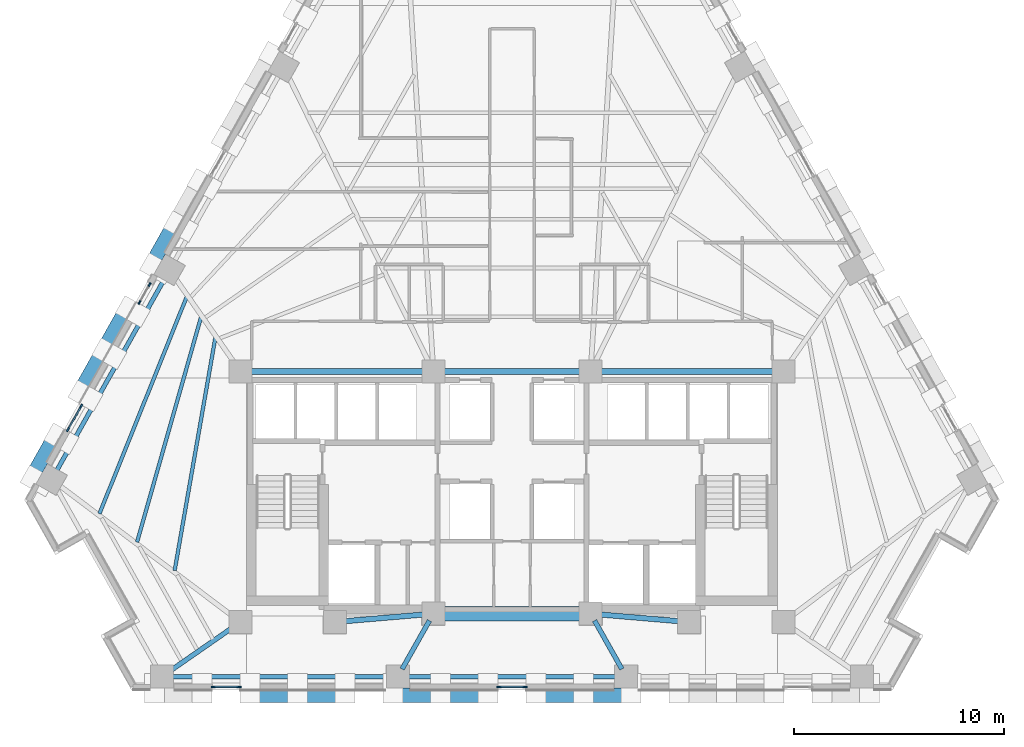
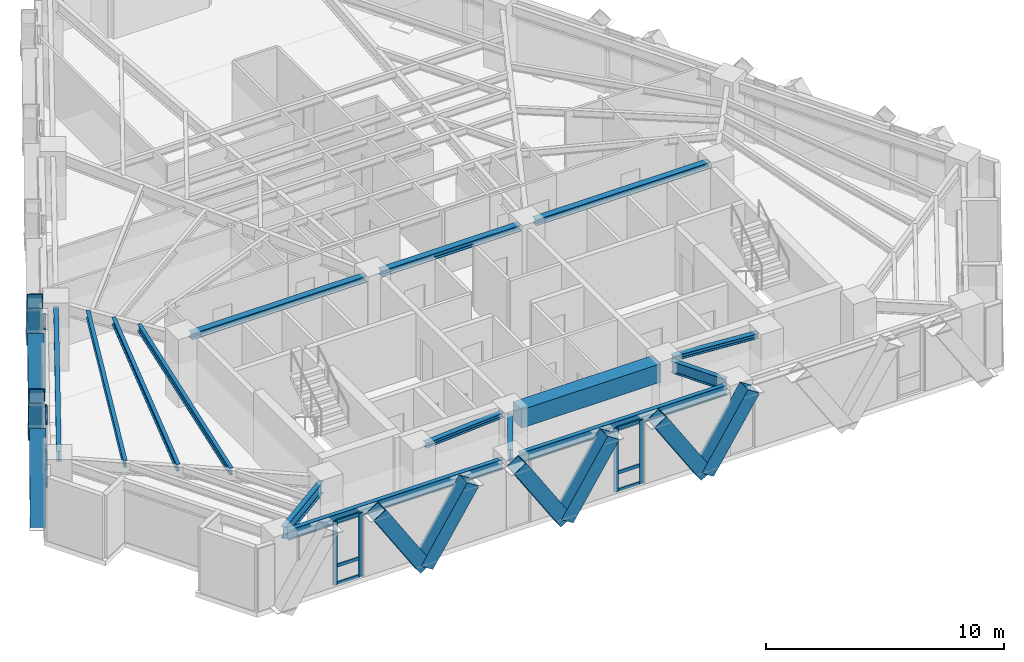
# One storey, part 2 of 13: 27 members, 15 beams, 4 elements without a shape of their own.
"""IFC4 building model written with IfcOpenShell, lengths in metres."""

from ifc_helpers import new_model, si_unit, direction, frame, origin, origin_2d, place, context, subcontext, project, spatial, rectangle, hollow_rectangle, i_section, extrude, material, material_profile, profile_set, type_object, element, aggregate, save


model = new_model("IFC4")

# Units and contexts
model_context = context("Model", 3, precision=1e-05, world=origin(), true_north=direction((0.0, 1.0)))
body_context = subcontext(model_context, "Body", "Model", "MODEL_VIEW")
ifc_project = project(units=[si_unit("LENGTHUNIT", "METRE"), si_unit("AREAUNIT", "SQUARE_METRE"), si_unit("VOLUMEUNIT", "CUBIC_METRE"), si_unit("PLANEANGLEUNIT", "RADIAN"), si_unit("MASSUNIT", "GRAM", prefix="KILO")], contexts=[model_context])

# Site, building, storey
site_placement = place(None, origin())
site = spatial("IfcSite", under=ifc_project, at=site_placement, CompositionType="ELEMENT")
building_placement = place(site_placement, origin())
building = spatial("IfcBuilding", under=site, at=building_placement, Name="Quenlor Broadcast Tower", CompositionType="ELEMENT")
storey_placement = place(building_placement, frame((0.0, 0.0, 98.5)))
storey = spatial("IfcBuildingStorey", under=building, at=storey_placement, Name="L26", CompositionType="ELEMENT", Elevation=98.5)

# Curtain wall, members
ifc_material_1 = material(Name="Architectural Terracotta and Low-E Glazing", Category="masonry")
curtain_wall_type = type_object("IfcCurtainWallType", Name="Unitised Terracotta Curtain Wall System Z2", PredefinedType="NOTDEFINED", material=ifc_material_1)
curtain_wall_1_placement = place(storey_placement, origin())
curtain_wall_1 = element("IfcCurtainWall", 1, at=curtain_wall_1_placement, inside=storey, type_object=curtain_wall_type, Name="L26 Curtain Wall CW2 (L26-SC-G1)", PredefinedType="NOTDEFINED")
ifc_material_2 = material(Name="Aluminium 6063-T6", Category="aluminium")
ifc_material_profile_1 = material_profile(ifc_material_2, rectangle(XDim=0.074951171875, YDim=0.199951171875, at=origin_2d()))
ifc_profile_set_1 = profile_set([ifc_material_profile_1], Name="Aluminium 6063-T6 MULL75x200")
member_type_1 = type_object("IfcMemberType", Name="CW2 Aluminium Mullion MULL_CW2", PredefinedType="MULLION", material=ifc_profile_set_1)
member_1_placement = place(storey_placement, frame((-13.01611328125, -19.840087890625, 0.0), z_axis=(0.0, 0.0, 1.0), x_axis=(0.0, -1.0, 0.0)))
member_1 = element("IfcMember", 2, at=member_1_placement, type_object=member_type_1, Name="CW2 mullion 1", PredefinedType="MULLION", context=body_context, shape_type="SweptSolid", body=[
    extrude(rectangle(XDim=0.074951171875, YDim=0.199951171875, at=origin_2d()), origin(), (0.0, 0.0, 1.0), 3.25),
])
member_2_placement = place(storey_placement, frame((-14.254150390625, -19.840087890625, 0.0), z_axis=(0.0, 0.0, 1.0), x_axis=(0.0, -1.0, 0.0)))
member_2 = element("IfcMember", 3, at=member_2_placement, type_object=member_type_1, Name="CW2 mullion 2", PredefinedType="MULLION", context=body_context, shape_type="SweptSolid", body=[
    extrude(rectangle(XDim=0.074951171875, YDim=0.199951171875, at=origin_2d()), origin(), (0.0, 0.0, 1.0), 3.25),
])

curtain_wall_2_placement = place(storey_placement, origin())
curtain_wall_2 = element("IfcCurtainWall", 4, at=curtain_wall_2_placement, inside=storey, type_object=curtain_wall_type, Name="L26 Curtain Wall CW2 (L26-S-G1)", PredefinedType="NOTDEFINED")
member_3_placement = place(storey_placement, frame((0.618896484375, -19.840087890625, 0.0), z_axis=(0.0, 0.0, 1.0), x_axis=(0.0, -1.0, 0.0)))
member_3 = element("IfcMember", 5, at=member_3_placement, type_object=member_type_1, Name="CW2 mullion 1", PredefinedType="MULLION", context=body_context, shape_type="SweptSolid", body=[
    extrude(rectangle(XDim=0.074951171875, YDim=0.199951171875, at=origin_2d()), origin(), (0.0, 0.0, 1.0), 3.25),
])
member_4_placement = place(storey_placement, frame((-0.618896484375, -19.840087890625, 0.0), z_axis=(0.0, 0.0, 1.0), x_axis=(0.0, -1.0, 0.0)))
member_4 = element("IfcMember", 6, at=member_4_placement, type_object=member_type_1, Name="CW2 mullion 2", PredefinedType="MULLION", context=body_context, shape_type="SweptSolid", body=[
    extrude(rectangle(XDim=0.074951171875, YDim=0.199951171875, at=origin_2d()), origin(), (0.0, 0.0, 1.0), 3.25),
])

curtain_wall_3_placement = place(storey_placement, origin())
curtain_wall_3 = element("IfcCurtainWall", 7, at=curtain_wall_3_placement, inside=storey, type_object=curtain_wall_type, Name="L26 Curtain Wall CW2 (L26-NWA-G1)", PredefinedType="NOTDEFINED")
member_5_placement = place(storey_placement, frame((-21.177734375, -7.57568359375, 0.0), z_axis=(0.0, 0.0, 1.0), x_axis=(-0.871565749621, 0.490278639232, 0.0)))
member_5 = element("IfcMember", 8, at=member_5_placement, type_object=member_type_1, Name="CW2 mullion 1", PredefinedType="MULLION", context=body_context, shape_type="SweptSolid", body=[
    extrude(rectangle(XDim=0.074951171875, YDim=0.199951171875, at=origin_2d()), origin(), (0.0, 0.0, 1.0), 3.25),
])
member_6_placement = place(storey_placement, frame((-20.545654296875, -6.451904296875, 0.0), z_axis=(0.0, 0.0, 1.0), x_axis=(-0.871565749621, 0.490278639232, 0.0)))
member_6 = element("IfcMember", 9, at=member_6_placement, type_object=member_type_1, Name="CW2 mullion 2", PredefinedType="MULLION", context=body_context, shape_type="SweptSolid", body=[
    extrude(rectangle(XDim=0.074951171875, YDim=0.199951171875, at=origin_2d()), origin(), (0.0, 0.0, 1.0), 3.25),
])

curtain_wall_4_placement = place(storey_placement, origin())
curtain_wall_4 = element("IfcCurtainWall", 10, at=curtain_wall_4_placement, inside=storey, type_object=curtain_wall_type, Name="L26 Curtain Wall CW2 (L26-NWA-G2)", PredefinedType="NOTDEFINED")
member_7_placement = place(storey_placement, frame((-17.7646484375, -1.508056640625, 0.0), z_axis=(0.0, 0.0, 1.0), x_axis=(-0.871580587336, 0.490252261371, 0.0)))
member_7 = element("IfcMember", 11, at=member_7_placement, type_object=member_type_1, Name="CW2 mullion 1", PredefinedType="MULLION", context=body_context, shape_type="SweptSolid", body=[
    extrude(rectangle(XDim=0.074951171875, YDim=0.199951171875, at=origin_2d()), origin(), (0.0, 0.0, 1.0), 3.25),
])
member_8_placement = place(storey_placement, frame((-17.282958984375, -0.651611328125, 0.0), z_axis=(0.0, 0.0, 1.0), x_axis=(-0.871580587336, 0.490252261371, 0.0)))
member_8 = element("IfcMember", 12, at=member_8_placement, type_object=member_type_1, Name="CW2 mullion 2", PredefinedType="MULLION", context=body_context, shape_type="SweptSolid", body=[
    extrude(rectangle(XDim=0.074951171875, YDim=0.199951171875, at=origin_2d()), origin(), (0.0, 0.0, 1.0), 3.25),
])
aggregate(curtain_wall_4, [member_7, member_8])

# Member
ifc_material_3 = material(Name="Aluminium 6063-T6", Category="aluminium")
ifc_material_profile_2 = material_profile(ifc_material_3, rectangle(XDim=0.074951171875, YDim=0.1650390625, at=origin_2d()))
ifc_profile_set_2 = profile_set([ifc_material_profile_2], Name="Aluminium 6063-T6 TRAN75x165")
member_type_2 = type_object("IfcMemberType", Name="CW2 Aluminium Transom TRAN_CW2", PredefinedType="USERDEFINED", material=ifc_profile_set_2)
member_9_placement = place(storey_placement, frame((-13.0537109375, -19.840087890625, 0.03759765625), z_axis=(-1.0, 0.0, 0.0), x_axis=(0.0, -1.0, 0.0)))
member_9 = element("IfcMember", 13, at=member_9_placement, type_object=member_type_2, Name="CW2 transom 1.1", ObjectType="TRANSOM", PredefinedType="USERDEFINED", context=body_context, shape_type="SweptSolid", body=[
    extrude(rectangle(XDim=0.074951171875, YDim=0.1650390625, at=origin_2d()), origin(), (0.0, 0.0, 1.0), 1.1630859375),
])

member_10_placement = place(storey_placement, frame((-13.0537109375, -19.840087890625, 0.949951171875), z_axis=(-1.0, 0.0, 0.0), x_axis=(0.0, -1.0, 0.0)))
member_10 = element("IfcMember", 14, at=member_10_placement, type_object=member_type_2, Name="CW2 transom 1.2", ObjectType="TRANSOM", PredefinedType="USERDEFINED", context=body_context, shape_type="SweptSolid", body=[
    extrude(rectangle(XDim=0.074951171875, YDim=0.1650390625, at=origin_2d()), origin(), (0.0, 0.0, 1.0), 1.1630859375),
])

member_11_placement = place(storey_placement, frame((-13.0537109375, -19.840087890625, 3.21240234375), z_axis=(-1.0, 0.0, 0.0), x_axis=(0.0, -1.0, 0.0)))
member_11 = element("IfcMember", 15, at=member_11_placement, type_object=member_type_2, Name="CW2 transom 1.3", ObjectType="TRANSOM", PredefinedType="USERDEFINED", context=body_context, shape_type="SweptSolid", body=[
    extrude(rectangle(XDim=0.074951171875, YDim=0.1650390625, at=origin_2d()), origin(), (0.0, 0.0, 1.0), 1.1630859375),
])

aggregate(curtain_wall_1, [member_1, member_2, member_9, member_10, member_11])

member_12_placement = place(storey_placement, frame((0.58154296875, -19.840087890625, 0.03759765625), z_axis=(-1.0, 0.0, 0.0), x_axis=(0.0, -1.0, 0.0)))
member_12 = element("IfcMember", 16, at=member_12_placement, type_object=member_type_2, Name="CW2 transom 1.1", ObjectType="TRANSOM", PredefinedType="USERDEFINED", context=body_context, shape_type="SweptSolid", body=[
    extrude(rectangle(XDim=0.074951171875, YDim=0.1650390625, at=origin_2d()), origin(), (0.0, 0.0, 1.0), 1.1630859375),
])

member_13_placement = place(storey_placement, frame((0.58154296875, -19.840087890625, 0.949951171875), z_axis=(-1.0, 0.0, 0.0), x_axis=(0.0, -1.0, 0.0)))
member_13 = element("IfcMember", 17, at=member_13_placement, type_object=member_type_2, Name="CW2 transom 1.2", ObjectType="TRANSOM", PredefinedType="USERDEFINED", context=body_context, shape_type="SweptSolid", body=[
    extrude(rectangle(XDim=0.074951171875, YDim=0.1650390625, at=origin_2d()), origin(), (0.0, 0.0, 1.0), 1.1630859375),
])

member_14_placement = place(storey_placement, frame((0.58154296875, -19.840087890625, 3.21240234375), z_axis=(-1.0, 0.0, 0.0), x_axis=(0.0, -1.0, 0.0)))
member_14 = element("IfcMember", 18, at=member_14_placement, type_object=member_type_2, Name="CW2 transom 1.3", ObjectType="TRANSOM", PredefinedType="USERDEFINED", context=body_context, shape_type="SweptSolid", body=[
    extrude(rectangle(XDim=0.074951171875, YDim=0.1650390625, at=origin_2d()), origin(), (0.0, 0.0, 1.0), 1.1630859375),
])

aggregate(curtain_wall_2, [member_3, member_4, member_12, member_13, member_14])

member_15_placement = place(storey_placement, frame((-21.159423828125, -7.54296875, 0.03759765625), z_axis=(0.490347143438, 0.871527210661, 0.0), x_axis=(-0.871527210661, 0.490347143438, 0.0)))
member_15 = element("IfcMember", 19, at=member_15_placement, type_object=member_type_2, Name="CW2 transom 1.1", ObjectType="TRANSOM", PredefinedType="USERDEFINED", context=body_context, shape_type="SweptSolid", body=[
    extrude(rectangle(XDim=0.074951171875, YDim=0.1650390625, at=origin_2d()), origin(), (0.0, 0.0, 1.0), 1.21435546875),
])

member_16_placement = place(storey_placement, frame((-21.159423828125, -7.54296875, 0.949951171875), z_axis=(0.490347143438, 0.871527210661, 0.0), x_axis=(-0.871527210661, 0.490347143438, 0.0)))
member_16 = element("IfcMember", 20, at=member_16_placement, type_object=member_type_2, Name="CW2 transom 1.2", ObjectType="TRANSOM", PredefinedType="USERDEFINED", context=body_context, shape_type="SweptSolid", body=[
    extrude(rectangle(XDim=0.074951171875, YDim=0.1650390625, at=origin_2d()), origin(), (0.0, 0.0, 1.0), 1.21435546875),
])

member_17_placement = place(storey_placement, frame((-21.159423828125, -7.54296875, 3.21240234375), z_axis=(0.490347143438, 0.871527210661, 0.0), x_axis=(-0.871527210661, 0.490347143438, 0.0)))
member_17 = element("IfcMember", 21, at=member_17_placement, type_object=member_type_2, Name="CW2 transom 1.3", ObjectType="TRANSOM", PredefinedType="USERDEFINED", context=body_context, shape_type="SweptSolid", body=[
    extrude(rectangle(XDim=0.074951171875, YDim=0.1650390625, at=origin_2d()), origin(), (0.0, 0.0, 1.0), 1.21435546875),
])

aggregate(curtain_wall_3, [member_5, member_6, member_15, member_16, member_17])

# Beams
ifc_material_4 = material(Name="Concrete C50/60", Category="concrete")
ifc_material_profile_3 = material_profile(ifc_material_4, rectangle(XDim=0.699951171875, YDim=0.949951171875, at=origin_2d()))
ifc_profile_set_3 = profile_set([ifc_material_profile_3], Name="Concrete C50/60 RCB700x950")
beam_type_1 = type_object("IfcBeamType", Name="Core Coupling Beam Concrete C50/60 700x950", PredefinedType="BEAM", material=ifc_profile_set_3)
beam_1_placement = place(storey_placement, frame((-3.389892578125, -16.35009765625, 2.77490234375), z_axis=(1.0, 0.0, 0.0), x_axis=(0.0, 1.0, 0.0)))
element("IfcBeam", 22, at=beam_1_placement, inside=storey, type_object=beam_type_1, Name="L26 Core Coupling Beam 6", PredefinedType="BEAM", context=body_context, shape_type="SweptSolid", body=[
    extrude(rectangle(XDim=0.699951171875, YDim=0.949951171875, at=origin_2d()), origin(), (0.0, 0.0, 1.0), 6.77978515625),
])
ifc_material_5 = material(Name="Steel S355", Category="steel")
ifc_material_profile_4 = material_profile(ifc_material_5, i_section(OverallWidth=0.304931640625, OverallDepth=0.30810546875, WebThickness=0.010009765625, FlangeThickness=0.015380859375, FilletRadius=0.0166015625, at=origin_2d()))
ifc_profile_set_4 = profile_set([ifc_material_profile_4], Name="Steel S355 310UC96.8")
beam_type_2 = type_object("IfcBeamType", Name="Core Header Beam Steel S355 310UC96.8", PredefinedType="BEAM", material=ifc_profile_set_4)
beam_2_placement = place(storey_placement, frame((-3.389892578125, -4.800048828125, 3.095947265625), z_axis=(1.0, 0.0, 0.0), x_axis=(0.0, 1.0, 0.0)))
element("IfcBeam", 23, at=beam_2_placement, inside=storey, type_object=beam_type_2, Name="L26 Core Header Beam 2", PredefinedType="BEAM", context=body_context, shape_type="SweptSolid", body=[
    extrude(i_section(OverallWidth=0.304931640625, OverallDepth=0.30810546875, WebThickness=0.010009765625, FlangeThickness=0.015380859375, FilletRadius=0.0166015625, at=origin_2d()), origin(), (0.0, 0.0, 1.0), 6.77978515625),
])
ifc_material_6 = material(Name="Steel S355", Category="steel")
ifc_material_profile_5 = material_profile(ifc_material_6, i_section(OverallWidth=0.25390625, OverallDepth=0.25390625, WebThickness=0.008544921875, FlangeThickness=0.01416015625, FilletRadius=0.013916015625, at=origin_2d()))
ifc_profile_set_5 = profile_set([ifc_material_profile_5], Name="Steel S355 250UC72.9")
beam_type_3 = type_object("IfcBeamType", Name="Core Opening Lintel Beam Steel S355 250UC72.9", PredefinedType="LINTEL", material=ifc_profile_set_5)
for number, where, z_axis, x_axis, name in (
    (24, (-8.09130859375, -16.719482421875, 3.123046875), (0.996399763903, 0.084779186679, 0.0), (-0.084779186679, 0.996399763903, 0.0), "L26 Core Opening Lintel Beam 4"),
    (25, (4.108642578125, -16.380615234375, 3.123046875), (0.996399763903, -0.084779186679, 0.0), (0.084779186679, 0.996399763903, 0.0), "L26 Core Opening Lintel Beam 5"),
):
    element("IfcBeam", number, at=place(storey_placement, frame(where, z_axis=z_axis, x_axis=x_axis)), inside=storey, type_object=beam_type_3, Name=name, PredefinedType="LINTEL", context=body_context, shape_type="SweptSolid", body=[
        extrude(i_section(OverallWidth=0.25390625, OverallDepth=0.25390625, WebThickness=0.008544921875, FlangeThickness=0.01416015625, FilletRadius=0.013916015625, at=origin_2d()), origin(), (0.0, 0.0, 1.0), 3.9970703125),
    ])
ifc_material_7 = material(Name="Steel S355", Category="steel")
ifc_material_profile_6 = material_profile(ifc_material_7, i_section(OverallWidth=0.306884765625, OverallDepth=0.314697265625, WebThickness=0.011962890625, FlangeThickness=0.018798828125, FilletRadius=0.0166015625, at=origin_2d()))
ifc_profile_set_6 = profile_set([ifc_material_profile_6], Name="Steel S355 310UC118")
beam_type_4 = type_object("IfcBeamType", Name="Core Tie Beam Steel S355 310UC118", PredefinedType="BEAM", material=ifc_profile_set_6)
for number, where, z_axis, x_axis, name in (
    (26, (-12.590087890625, -4.800048828125, 3.0927734375), (1.0, 0.0, 0.0), (0.0, 1.0, 0.0), "L26 Core Tie Beam 1"),
    (27, (4.110107421875, -4.800048828125, 3.0927734375), (1.0, 0.0, 0.0), (0.0, 1.0, 0.0), "L26 Core Tie Beam 3"),
):
    element("IfcBeam", number, at=place(storey_placement, frame(where, z_axis=z_axis, x_axis=x_axis)), inside=storey, type_object=beam_type_4, Name=name, PredefinedType="BEAM", context=body_context, shape_type="SweptSolid", body=[
        extrude(i_section(OverallWidth=0.306884765625, OverallDepth=0.314697265625, WebThickness=0.011962890625, FlangeThickness=0.018798828125, FilletRadius=0.0166015625, at=origin_2d()), origin(), (0.0, 0.0, 1.0), 8.47998046875),
    ])

# Members
ifc_material_8 = material(Name="Steel S355", Category="steel")
ifc_material_profile_7 = material_profile(ifc_material_8, hollow_rectangle(XDim=0.679931640625, YDim=0.679931640625, WallThickness=0.030029296875, at=origin_2d()))
ifc_profile_set_7 = profile_set([ifc_material_profile_7], Name="Steel S355 RHS680x680x30")
member_type_3 = type_object("IfcMemberType", Name="Perimeter Diagonal Lattice Brace Z2 Steel S355 RHS680x30", PredefinedType="BRACE", material=ifc_profile_set_7)
for number, where, z_axis, x_axis, name in (
    (28, (3.42236328125, -20.235107421875, -0.1201171875), (0.539968035679, 0.0, 0.841685523485), (0.0, 1.0, 0.0), "L26 Perimeter Diamond Lattice S-C2B"),
    (29, (3.395263671875, -20.235107421875, -0.1201171875), (-0.539968035679, 0.0, 0.841685523485), (0.0, -1.0, 0.0), "L26 Perimeter Diamond Lattice S-C3S"),
    (30, (-3.395263671875, -20.235107421875, -0.1201171875), (0.539968035679, 0.0, 0.841685523485), (0.0, 1.0, 0.0), "L26 Perimeter Diamond Lattice S-C3B"),
    (31, (-3.42236328125, -20.235107421875, -0.1201171875), (-0.539968035679, 0.0, 0.841685523485), (0.0, -1.0, 0.0), "L26 Perimeter Diamond Lattice S-C4S"),
    (32, (-10.212890625, -20.235107421875, -0.1201171875), (0.539968035679, 0.0, 0.841685523485), (0.0, 1.0, 0.0), "L26 Perimeter Diamond Lattice S-C4B"),
    (33, (-10.239990234375, -20.235107421875, -0.1201171875), (-0.539968035679, 0.0, 0.841685523485), (0.0, -1.0, 0.0), "L26 Perimeter Diamond Lattice S-C5S"),
):
    element("IfcMember", number, at=place(storey_placement, frame(where, z_axis=z_axis, x_axis=x_axis)), inside=storey, type_object=member_type_3, Name=name, PredefinedType="BRACE", context=body_context, shape_type="SweptSolid", body=[
        extrude(hollow_rectangle(XDim=0.679931640625, YDim=0.679931640625, WallThickness=0.030029296875, at=origin_2d()), origin(), (0.0, 0.0, 1.0), 4.158203125),
    ])
for number, where, z_axis, x_axis, name in (
    (34, (-22.90576171875, -9.841796875, -0.1201171875), (0.268696511206, 0.477585438485, 0.836489290913), (-0.871532878923, 0.490337068716, 0.0), "L26 Perimeter Diamond Lattice NW-C1S"),
    (35, (-19.506103515625, -3.79833984375, -0.1201171875), (-0.268696511206, -0.477585438485, 0.836489290913), (0.871532878923, -0.490337068716, 0.0), "L26 Perimeter Diamond Lattice NW-C1B"),
    (36, (-19.49267578125, -3.774169921875, -0.1201171875), (0.268696511206, 0.477585438485, 0.836489290913), (-0.871532878923, 0.490337068716, 0.0), "L26 Perimeter Diamond Lattice NW-C2S"),
    (37, (-16.093017578125, 2.269287109375, -0.1201171875), (-0.268696511206, -0.477585438485, 0.836489290913), (0.871532878923, -0.490337068716, 0.0), "L26 Perimeter Diamond Lattice NW-C2B"),
):
    element("IfcMember", number, at=place(storey_placement, frame(where, z_axis=z_axis, x_axis=x_axis)), inside=storey, type_object=member_type_3, Name=name, PredefinedType="BRACE", context=body_context, shape_type="SweptSolid", body=[
        extrude(hollow_rectangle(XDim=0.679931640625, YDim=0.679931640625, WallThickness=0.030029296875, at=origin_2d()), origin(), (0.0, 0.0, 1.0), 4.18408203125),
    ])

# Beams
ifc_material_9 = material(Name="Steel S355", Category="steel")
ifc_material_profile_8 = material_profile(ifc_material_9, i_section(OverallWidth=0.208984375, OverallDepth=0.5283203125, WebThickness=0.009521484375, FlangeThickness=0.01318359375, FilletRadius=0.013916015625, at=origin_2d()))
ifc_profile_set_8 = profile_set([ifc_material_profile_8], Name="Steel S355 530UB82.0")
beam_type_5 = type_object("IfcBeamType", Name="Perimeter Spandrel Beam Z2 Steel S355 530UB82.0", PredefinedType="SPANDREL", material=ifc_profile_set_8)
beam_3_placement = place(storey_placement, frame((-16.282470703125, -19.35009765625, 2.98583984375), z_axis=(1.0, 0.0, 0.0), x_axis=(0.0, 1.0, 0.0)))
element("IfcBeam", 38, at=beam_3_placement, inside=storey, type_object=beam_type_5, Name="L26 Spandrel Beam S1-S2", PredefinedType="SPANDREL", context=body_context, shape_type="SweptSolid", body=[
    extrude(i_section(OverallWidth=0.208984375, OverallDepth=0.5283203125, WebThickness=0.009521484375, FlangeThickness=0.01318359375, FilletRadius=0.013916015625, at=origin_2d()), origin(), (0.0, 0.0, 1.0), 10.42919921875),
])
beam_4_placement = place(storey_placement, frame((-5.033203125, -19.35009765625, 2.98583984375), z_axis=(1.0, 0.0, 0.0), x_axis=(0.0, 1.0, 0.0)))
element("IfcBeam", 39, at=beam_4_placement, inside=storey, type_object=beam_type_5, Name="L26 Spandrel Beam S2-S3", PredefinedType="SPANDREL", context=body_context, shape_type="SweptSolid", body=[
    extrude(i_section(OverallWidth=0.208984375, OverallDepth=0.5283203125, WebThickness=0.009521484375, FlangeThickness=0.01318359375, FilletRadius=0.013916015625, at=origin_2d()), origin(), (0.0, 0.0, 1.0), 10.06640625),
])
beam_5_placement = place(storey_placement, frame((-16.531005859375, -0.314453125, 2.98583984375), z_axis=(-0.490263415828, -0.871574313011, 0.0), x_axis=(0.871574313011, -0.490263415828, 0.0)))
element("IfcBeam", 40, at=beam_5_placement, inside=storey, type_object=beam_type_5, Name="L26 Spandrel Beam NW3-NW4", PredefinedType="SPANDREL", context=body_context, shape_type="SweptSolid", body=[
    extrude(i_section(OverallWidth=0.208984375, OverallDepth=0.5283203125, WebThickness=0.009521484375, FlangeThickness=0.01318359375, FilletRadius=0.013916015625, at=origin_2d()), origin(), (0.0, 0.0, 1.0), 10.65283203125),
])
ifc_material_10 = material(Name="Steel S355", Category="steel")
ifc_material_profile_9 = material_profile(ifc_material_10, i_section(OverallWidth=0.172119140625, OverallDepth=0.358642578125, WebThickness=0.008056640625, FlangeThickness=0.012939453125, FilletRadius=0.011474609375, at=origin_2d()))
ifc_profile_set_9 = profile_set([ifc_material_profile_9], Name="Steel S355 360UB56.7")
beam_type_6 = type_object("IfcBeamType", Name="Tower Composite Joist Z2-Z3 Steel S355 360UB56.7", PredefinedType="JOIST", material=ifc_profile_set_9)
beam_6_placement = place(storey_placement, frame((-16.087890625, -14.29345703125, 3.07080078125), z_axis=(0.172120396521, 0.985075920476, 0.0), x_axis=(-0.985075920476, 0.172120396521, 0.0)))
element("IfcBeam", 41, at=beam_6_placement, inside=storey, type_object=beam_type_6, Name="L26 Secondary Composite Joist 13", PredefinedType="JOIST", context=body_context, shape_type="SweptSolid", body=[
    extrude(i_section(OverallWidth=0.172119140625, OverallDepth=0.358642578125, WebThickness=0.008056640625, FlangeThickness=0.012939453125, FilletRadius=0.011474609375, at=origin_2d()), origin(), (0.0, 0.0, 1.0), 11.27783203125),
])
beam_7_placement = place(storey_placement, frame((-17.880615234375, -12.9365234375, 3.07080078125), z_axis=(0.273563993601, 0.96185380459, 0.0), x_axis=(-0.96185380459, 0.273563993601, 0.0)))
element("IfcBeam", 42, at=beam_7_placement, inside=storey, type_object=beam_type_6, Name="L26 Secondary Composite Joist 14", PredefinedType="JOIST", context=body_context, shape_type="SweptSolid", body=[
    extrude(i_section(OverallWidth=0.172119140625, OverallDepth=0.358642578125, WebThickness=0.008056640625, FlangeThickness=0.012939453125, FilletRadius=0.011474609375, at=origin_2d()), origin(), (0.0, 0.0, 1.0), 11.1484375),
])
beam_8_placement = place(storey_placement, frame((-19.673583984375, -11.580810546875, 3.07080078125), z_axis=(0.373180395983, 0.92775880058, 0.0), x_axis=(-0.92775880058, 0.373180395983, 0.0)))
element("IfcBeam", 43, at=beam_8_placement, inside=storey, type_object=beam_type_6, Name="L26 Secondary Composite Joist 15", PredefinedType="JOIST", context=body_context, shape_type="SweptSolid", body=[
    extrude(i_section(OverallWidth=0.172119140625, OverallDepth=0.358642578125, WebThickness=0.008056640625, FlangeThickness=0.012939453125, FilletRadius=0.011474609375, at=origin_2d()), origin(), (0.0, 0.0, 1.0), 11.143798828125),
])
ifc_material_11 = material(Name="Steel S355", Category="steel")
ifc_material_profile_10 = material_profile(ifc_material_11, i_section(OverallWidth=0.22802734375, OverallDepth=0.60205078125, WebThickness=0.010498046875, FlangeThickness=0.014892578125, FilletRadius=0.013916015625, at=origin_2d()))
ifc_profile_set_10 = profile_set([ifc_material_profile_10], Name="Steel S355 610UB101")
beam_type_7 = type_object("IfcBeamType", Name="Tower Primary Floor Beam Z2 Steel S355 610UB101", PredefinedType="BEAM", material=ifc_profile_set_10)
beam_9_placement = place(storey_placement, frame((-16.355712890625, -19.1162109375, 2.948974609375), z_axis=(0.821227395059, 0.570601056436, 0.0), x_axis=(-0.570601056436, 0.821227395059, 0.0)))
element("IfcBeam", 44, at=beam_9_placement, inside=storey, type_object=beam_type_7, Name="L26 Primary Radial Beam S1", PredefinedType="BEAM", context=body_context, shape_type="SweptSolid", body=[
    extrude(i_section(OverallWidth=0.22802734375, OverallDepth=0.60205078125, WebThickness=0.010498046875, FlangeThickness=0.014892578125, FilletRadius=0.013916015625, at=origin_2d()), origin(), (0.0, 0.0, 1.0), 3.766845703125),
])
for number, where, z_axis, x_axis, name in (
    (45, (-5.24169921875, -18.992919921875, 2.948974609375), (0.491526879548, 0.870862403989, 0.0), (-0.870862403989, 0.491526879548, 0.0), "L26 Primary Radial Beam S2"),
    (46, (5.24169921875, -18.992919921875, 2.948974609375), (-0.491526879548, 0.870862403989, 0.0), (-0.870862403989, -0.491526879548, 0.0), "L26 Primary Radial Beam S3"),
):
    element("IfcBeam", number, at=place(storey_placement, frame(where, z_axis=z_axis, x_axis=x_axis)), inside=storey, type_object=beam_type_7, Name=name, PredefinedType="BEAM", context=body_context, shape_type="SweptSolid", body=[
        extrude(i_section(OverallWidth=0.22802734375, OverallDepth=0.60205078125, WebThickness=0.010498046875, FlangeThickness=0.014892578125, FilletRadius=0.013916015625, at=origin_2d()), origin(), (0.0, 0.0, 1.0), 2.65478515625),
    ])

save(model, "model.ifc")
